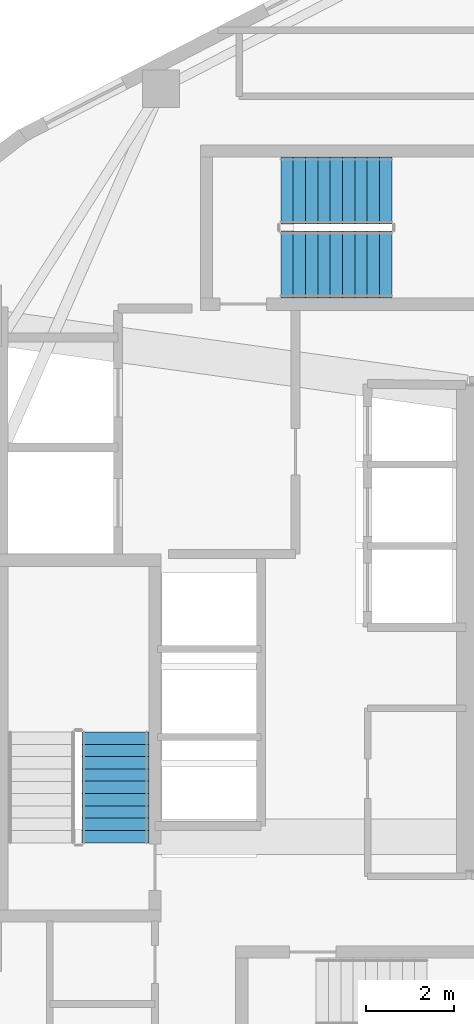
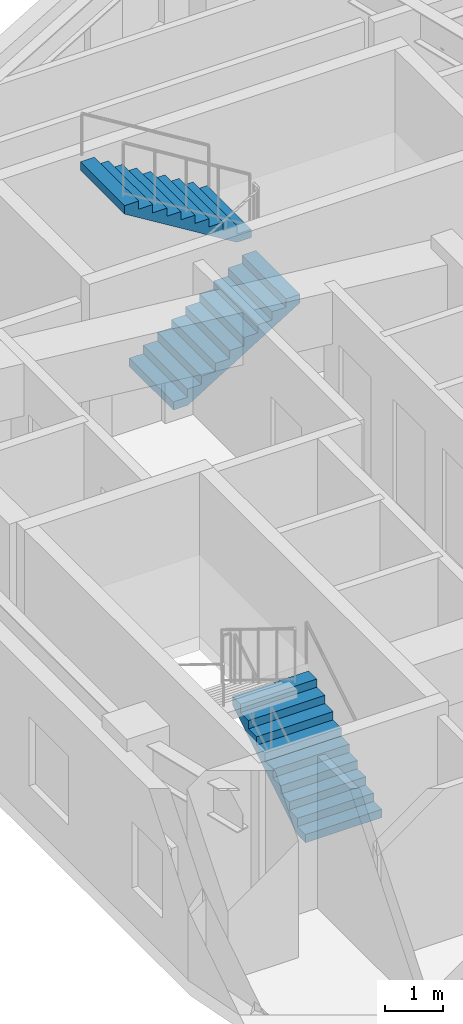
# One storey, part 9 of 10: 3 stair flights, 2 elements without a shape of their own.
"""IFC4 building model written with IfcOpenShell, lengths in metres."""

import ifcopenshell
import ifcopenshell.guid

model = None  # the IFC model being written
_history = None  # IfcOwnerHistory: only IFC2X3 demands one
_inside = {}  # id of a spatial element -> (the spatial element, [elements in it])
_under = {}  # id of a project, library or spatial element -> (it, [spatial elements below it])
_declared = {}  # id of a project -> (the project, [libraries it declares])
_typed = {}  # id of a type object -> (the type object, [elements of that type])
_made_of = {}  # id of a material, layer set ... -> (it, [elements and type objects made of it])


def new_model(schema):
    """Start an empty IFC model of exactly this schema.

    Asked for "IFC4X3", IfcOpenShell would pick the latest addendum, in which some entities
    have other attributes; the version numbers below select the first issue.
    IFC2X3 requires an IfcOwnerHistory on every rooted entity: one is made here for all.
    """
    global model, _history
    if schema == "IFC4X3":
        model = ifcopenshell.file(schema_version=(4, 3, 0, 0))
    else:
        model = ifcopenshell.file(schema=schema)
    _inside.clear()
    _under.clear()
    _declared.clear()
    _typed.clear()
    _made_of.clear()
    _history = None
    if model.schema == "IFC2X3":
        org = make("IfcOrganization", Name="unknown")
        user = make(
            "IfcPersonAndOrganization",
            ThePerson=make("IfcPerson", FamilyName="unknown"),
            TheOrganization=org,
        )
        app = make(
            "IfcApplication",
            ApplicationDeveloper=org,
            Version="unknown",
            ApplicationFullName="unknown",
            ApplicationIdentifier="unknown",
        )
        _history = make(
            "IfcOwnerHistory",
            OwningUser=user,
            OwningApplication=app,
            ChangeAction="ADDED",
            CreationDate=0,
        )
    return model


def make(cls, **values):
    """One entity of the class cls with the attributes given. An attribute that is None is left unset."""
    return model.create_entity(
        cls, **{name: value for name, value in values.items() if value is not None}
    )


def rooted(cls, **values):
    """An entity with a GlobalId (a new one), such as an element, a storey or a relation."""
    return make(cls, GlobalId=ifcopenshell.guid.new(), OwnerHistory=_history, **values)


def si_unit(unit_type, name, prefix=None):
    """IfcSIUnit, for example si_unit("LENGTHUNIT", "METRE", prefix="MILLI")."""
    return make("IfcSIUnit", UnitType=unit_type, Prefix=prefix, Name=name)


def assignment(units):
    """IfcUnitAssignment: the units of a project."""
    return None if units is None else make("IfcUnitAssignment", Units=units)


def point(xyz):
    """IfcCartesianPoint."""
    return None if xyz is None else make("IfcCartesianPoint", Coordinates=xyz)


def direction(xyz):
    """IfcDirection."""
    return None if xyz is None else make("IfcDirection", DirectionRatios=xyz)


def frame(location, z_axis=None, x_axis=None):
    """IfcAxis2Placement3D, a coordinate frame: its origin and axes. An axis left out is left unset."""
    return make(
        "IfcAxis2Placement3D",
        Location=point(location),
        Axis=direction(z_axis),
        RefDirection=direction(x_axis),
    )


def origin():
    """The frame at (0, 0, 0) with its axes left unset."""
    return frame((0.0, 0.0, 0.0))


def place(relative_to, where):
    """IfcLocalPlacement: puts the frame where relative to a parent placement (None: the world)."""
    return make(
        "IfcLocalPlacement", PlacementRelTo=relative_to, RelativePlacement=where
    )


def context(
    kind, dimensions, precision=None, world=None, true_north=None, identifier=None
):
    """IfcGeometricRepresentationContext, for example the 3D "Model" context."""
    return make(
        "IfcGeometricRepresentationContext",
        ContextIdentifier=identifier,
        ContextType=kind,
        CoordinateSpaceDimension=dimensions,
        Precision=precision,
        WorldCoordinateSystem=world,
        TrueNorth=true_north,
    )


def subcontext(parent, identifier, kind, view, scale=None):
    """IfcGeometricRepresentationSubContext, for example "Body" below "Model"."""
    return make(
        "IfcGeometricRepresentationSubContext",
        ContextIdentifier=identifier,
        ContextType=kind,
        ParentContext=parent,
        TargetScale=scale,
        TargetView=view,
    )


def project(units=None, contexts=None):
    """IfcProject with its units and contexts."""
    return rooted(
        "IfcProject",
        Name="project",
        RepresentationContexts=contexts,
        UnitsInContext=assignment(units),
    )


def spatial(cls, under=None, at=None, **own):
    """A site, building, storey or space (cls), placed at a placement, below another one or the project."""
    s = rooted(cls, ObjectPlacement=at, **own)
    if under is not None:
        _under.setdefault(under.id(), (under, []))[1].append(s)
    return s


def polyline(points):
    """IfcPolyline through the points."""
    return make("IfcPolyline", Points=[point(p) for p in points])


def outline(outer, holes=None, kind="AREA"):
    """IfcArbitraryClosedProfileDef: a profile drawn as a closed curve; with holes, ...WithVoids."""
    if holes is None:
        return make("IfcArbitraryClosedProfileDef", ProfileType=kind, OuterCurve=outer)
    return make(
        "IfcArbitraryProfileDefWithVoids",
        ProfileType=kind,
        OuterCurve=outer,
        InnerCurves=holes,
    )


def extrude(swept, where, along, depth):
    """IfcExtrudedAreaSolid: the profile swept, set in the frame where, extruded along a direction by depth."""
    return make(
        "IfcExtrudedAreaSolid",
        SweptArea=swept,
        Position=where,
        ExtrudedDirection=direction(along),
        Depth=depth,
    )


def shape(context_of_items, identifier, shape_type, items):
    """IfcShapeRepresentation: the items that make up one representation, for example the "Body"."""
    return make(
        "IfcShapeRepresentation",
        ContextOfItems=context_of_items,
        RepresentationIdentifier=identifier,
        RepresentationType=shape_type,
        Items=items,
    )


def material(Name=None, Category=None):
    """IfcMaterial."""
    return make("IfcMaterial", Name=Name, Category=Category)


def made_of(thing, what):
    """Note that an element or type object is made of a material, layer set ...; save() writes the relation."""
    if what is not None:
        _made_of.setdefault(what.id(), (what, []))[1].append(thing)
    return thing


def type_object(cls, material=None, **own):
    """A type object (cls), such as IfcWallType, which elements share."""
    return made_of(rooted(cls, **own), material)


def element(
    cls,
    number,
    at=None,
    inside=None,
    cuts=None,
    type_object=None,
    material=None,
    context=None,
    identifier="Body",
    shape_type=None,
    held_by="IfcProductDefinitionShape",
    body=None,
    shapes=None,
    **own,
):
    """One element of the class cls, such as IfcWall. Its Tag is "e" and its number.

    at: its placement. inside: the storey or other place that contains it. cuts: it is an
    opening in that element (IfcRelVoidsElement). A single representation is given by context,
    identifier, shape_type and body (its items); several are given by shapes. held_by: the class
    of the entity that holds the representations. save() writes the other relations.
    """
    e = rooted(cls, Tag="e%d" % number, ObjectPlacement=at, **own)
    if body is not None:
        shapes = [shape(context, identifier, shape_type, body)]
    if shapes is not None:
        e.Representation = make(held_by, Representations=shapes)
    if inside is not None:
        _inside.setdefault(inside.id(), (inside, []))[1].append(e)
    if cuts is not None:
        rooted(
            "IfcRelVoidsElement", RelatingBuildingElement=cuts, RelatedOpeningElement=e
        )
    if type_object is not None:
        _typed.setdefault(type_object.id(), (type_object, []))[1].append(e)
    return made_of(e, material)


def aggregate(whole, parts):
    """IfcRelAggregates: a whole, such as a stair, and the parts it consists of."""
    return rooted("IfcRelAggregates", RelatingObject=whole, RelatedObjects=parts)


def save(model, path):
    """Write the relations noted so far, then the file.

    IfcRelAggregates (storeys below a building ...), IfcRelContainedInSpatialStructure (elements
    in a storey), IfcRelDefinesByType, IfcRelAssociatesMaterial and IfcRelDeclares: one each for
    every whole, place, type object, material and project.
    """
    for whole, parts in _under.values():
        aggregate(whole, parts)
    for where, things in _inside.values():
        rooted(
            "IfcRelContainedInSpatialStructure",
            RelatedElements=things,
            RelatingStructure=where,
        )
    for kind, things in _typed.values():
        rooted("IfcRelDefinesByType", RelatedObjects=things, RelatingType=kind)
    for what, things in _made_of.values():
        rooted("IfcRelAssociatesMaterial", RelatedObjects=things, RelatingMaterial=what)
    for by, libraries in _declared.values():
        rooted("IfcRelDeclares", RelatingContext=by, RelatedDefinitions=libraries)
    model.write(path)


model = new_model("IFC4")

# Units and contexts
model_context = context("Model", 3, precision=1e-05, world=origin(), true_north=direction((0.0, 1.0)))
body_context = subcontext(model_context, "Body", "Model", "MODEL_VIEW")
ifc_project = project(units=[si_unit("LENGTHUNIT", "METRE"), si_unit("AREAUNIT", "SQUARE_METRE"), si_unit("VOLUMEUNIT", "CUBIC_METRE"), si_unit("PLANEANGLEUNIT", "RADIAN"), si_unit("MASSUNIT", "GRAM", prefix="KILO"), si_unit("THERMODYNAMICTEMPERATUREUNIT", "KELVIN"), si_unit("POWERUNIT", "WATT")], contexts=[model_context])

# Site, building, storey
site_placement = place(None, origin())
site = spatial("IfcSite", under=ifc_project, at=site_placement, CompositionType="ELEMENT")
building_placement = place(site_placement, origin())
building = spatial("IfcBuilding", under=site, at=building_placement, Name="Skarre Station Tower", CompositionType="ELEMENT")
storey_placement = place(building_placement, frame((0.0, 0.0, 180.89990234375)))
storey = spatial("IfcBuildingStorey", under=building, at=storey_placement, Name="L49", CompositionType="ELEMENT", Elevation=180.89990234375)

# Stair, stair flight
ifc_material = material(Name="Concrete C40/50", Category="concrete")
stair_type_1 = type_object("IfcStairType", Name="Reinforced Concrete Exit Stair ST-1", PredefinedType="HALF_TURN_STAIR", material=ifc_material)
stair_1_placement = place(storey_placement, origin())
stair_1 = element("IfcStair", 1, at=stair_1_placement, inside=storey, type_object=stair_type_1, Name="L49 Core Exit Stair ST-1", PredefinedType="HALF_TURN_STAIR")
stair_flight_type_1 = type_object("IfcStairFlightType", Name="Reinforced Concrete Stair Flight ST-1", PredefinedType="STRAIGHT", material=ifc_material)
stair_flight_1_placement = place(storey_placement, frame((19.590087890625, 19.1201171875, 0.0), z_axis=(0.0, 0.0, 1.0), x_axis=(0.0, 1.0, 0.0)))
stair_flight_1 = element("IfcStairFlight", 2, at=stair_flight_1_placement, type_object=stair_flight_type_1, Name="ST-1 flight 1", NumberOfRisers=10, NumberOfTreads=9, PredefinedType="STRAIGHT", RiserHeight=0.1725, TreadLength=0.28, context=body_context, shape_type="SweptSolid", body=[
    extrude(outline(polyline([(0.0, 0.0), (0.0, 0.172607421875), (0.280029296875, 0.172607421875), (0.280029296875, 0.344970703125), (0.56005859375, 0.344970703125), (0.56005859375, 0.517578125), (0.840087890625, 0.517578125), (0.840087890625, 0.68994140625), (1.1201171875, 0.68994140625), (1.1201171875, 0.862548828125), (1.39990234375, 0.862548828125), (1.39990234375, 1.034912109375), (1.679931640625, 1.034912109375), (1.679931640625, 1.20751953125), (1.9599609375, 1.20751953125), (1.9599609375, 1.3798828125), (2.239990234375, 1.3798828125), (2.239990234375, 1.552490234375), (2.52001953125, 1.552490234375), (2.52001953125, 1.72509765625), (2.52001953125, 1.37646484375), (0.285888671875, 0.0), (0.0, 0.0)])), frame((0.0, 0.760009765625, 0.0), z_axis=(0.0, -1.0, 0.0), x_axis=(1.0, 0.0, 0.0)), (0.0, 0.0, 1.0), 1.52001953125),
])
aggregate(stair_1, [stair_flight_1])

# Stair, stair flights
stair_type_2 = type_object("IfcStairType", Name="Reinforced Concrete Exit Stair ST-3", PredefinedType="HALF_TURN_STAIR", material=ifc_material)
stair_2_placement = place(storey_placement, origin())
stair_2 = element("IfcStair", 3, at=stair_2_placement, inside=storey, type_object=stair_type_2, Name="L49 Core Exit Stair ST-3", PredefinedType="HALF_TURN_STAIR")
stair_flight_type_2 = type_object("IfcStairFlightType", Name="Reinforced Concrete Stair Flight ST-3", PredefinedType="STRAIGHT", material=ifc_material)
stair_flight_2_placement = place(storey_placement, frame((23.35009765625, 32.260009765625, 0.0), z_axis=(0.0, 0.0, 1.0), x_axis=(1.0, 0.0, 0.0)))
stair_flight_2 = element("IfcStairFlight", 4, at=stair_flight_2_placement, type_object=stair_flight_type_2, Name="ST-3 flight 1", NumberOfRisers=10, NumberOfTreads=9, PredefinedType="STRAIGHT", RiserHeight=0.1725, TreadLength=0.28, context=body_context, shape_type="SweptSolid", body=[
    extrude(outline(polyline([(0.0, 0.0), (0.0, 0.172607421875), (0.280029296875, 0.172607421875), (0.280029296875, 0.344970703125), (0.56005859375, 0.344970703125), (0.56005859375, 0.517578125), (0.840087890625, 0.517578125), (0.840087890625, 0.68994140625), (1.1201171875, 0.68994140625), (1.1201171875, 0.862548828125), (1.39990234375, 0.862548828125), (1.39990234375, 1.034912109375), (1.679931640625, 1.034912109375), (1.679931640625, 1.20751953125), (1.9599609375, 1.20751953125), (1.9599609375, 1.3798828125), (2.239990234375, 1.3798828125), (2.239990234375, 1.552490234375), (2.52001953125, 1.552490234375), (2.52001953125, 1.72509765625), (2.52001953125, 1.37646484375), (0.285888671875, 0.0), (0.0, 0.0)])), frame((0.0, 0.760009765625, 0.0), z_axis=(0.0, -1.0, 0.0), x_axis=(1.0, 0.0, 0.0)), (0.0, 0.0, 1.0), 1.52001953125),
])
stair_flight_3_placement = place(storey_placement, frame((25.8701171875, 33.93994140625, 1.72509765625), z_axis=(0.0, 0.0, 1.0), x_axis=(-1.0, 0.0, 0.0)))
stair_flight_3 = element("IfcStairFlight", 5, at=stair_flight_3_placement, type_object=stair_flight_type_2, Name="ST-3 flight 2", NumberOfRisers=10, NumberOfTreads=9, PredefinedType="STRAIGHT", RiserHeight=0.1725, TreadLength=0.28, context=body_context, shape_type="SweptSolid", body=[
    extrude(outline(polyline([(0.0, 0.0), (0.0, 0.172607421875), (0.280029296875, 0.172607421875), (0.280029296875, 0.344970703125), (0.56005859375, 0.344970703125), (0.56005859375, 0.517578125), (0.840087890625, 0.517578125), (0.840087890625, 0.68994140625), (1.1201171875, 0.68994140625), (1.1201171875, 0.862548828125), (1.39990234375, 0.862548828125), (1.39990234375, 1.034912109375), (1.679931640625, 1.034912109375), (1.679931640625, 1.20751953125), (1.9599609375, 1.20751953125), (1.9599609375, 1.3798828125), (2.239990234375, 1.3798828125), (2.239990234375, 1.552490234375), (2.52001953125, 1.552490234375), (2.52001953125, 1.72509765625), (2.52001953125, 1.37646484375), (0.285888671875, 0.0), (0.0, 0.0)])), frame((0.0, 0.760009765625, 0.0), z_axis=(0.0, -1.0, 0.0), x_axis=(1.0, 0.0, 0.0)), (0.0, 0.0, 1.0), 1.52001953125),
])
aggregate(stair_2, [stair_flight_2, stair_flight_3])

save(model, "model.ifc")
